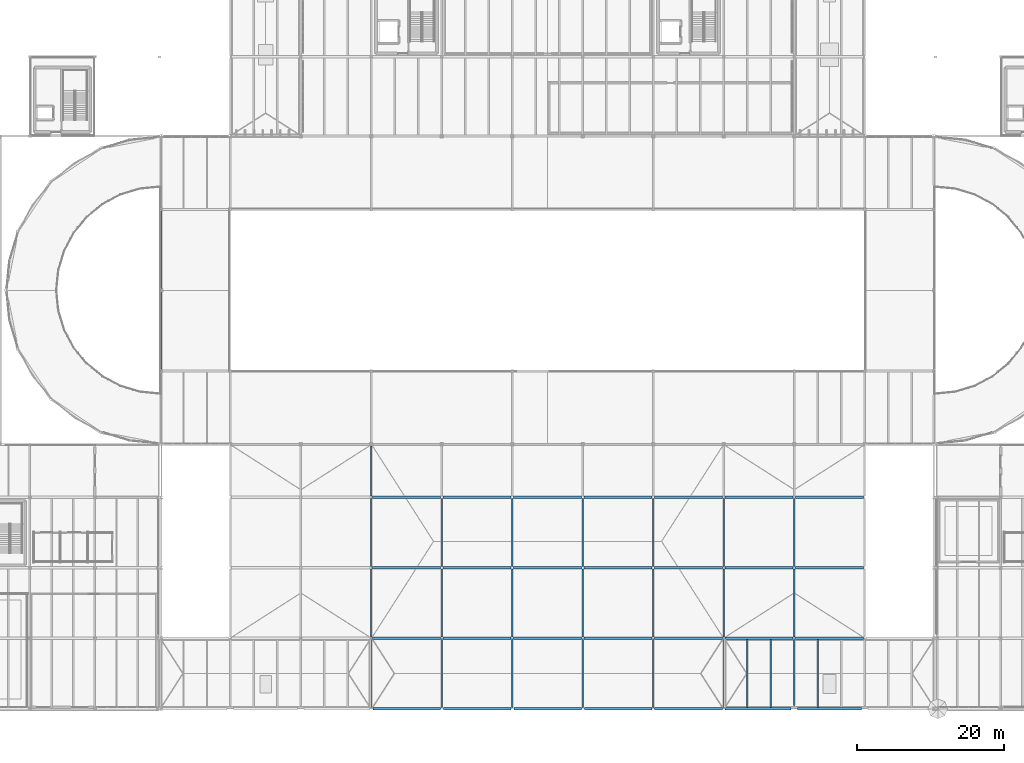
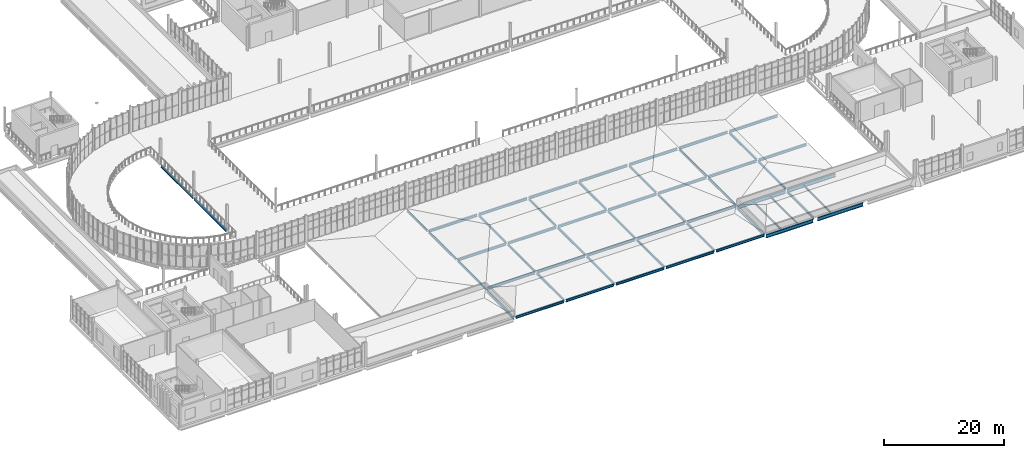
# One storey, part 31 of 112: 55 beams.
"""IFC4 building model written with IfcOpenShell, lengths in metres."""

from ifc_helpers import new_model, si_unit, direction, frame, origin, origin_2d, place, context, subcontext, project, spatial, i_section, extrude, material, material_profile, profile_set, type_object, element, save


model = new_model("IFC4")

# Units and contexts
model_context = context("Model", 3, precision=1e-05, world=origin(), true_north=direction((0.0, 1.0)))
body_context = subcontext(model_context, "Body", "Model", "MODEL_VIEW")
ifc_project = project(units=[si_unit("LENGTHUNIT", "METRE"), si_unit("AREAUNIT", "SQUARE_METRE"), si_unit("VOLUMEUNIT", "CUBIC_METRE"), si_unit("PLANEANGLEUNIT", "RADIAN"), si_unit("MASSUNIT", "GRAM", prefix="KILO")], contexts=[model_context])

# Site, building, storey
site_placement = place(None, origin())
site = spatial("IfcSite", under=ifc_project, at=site_placement, CompositionType="ELEMENT")
building_placement = place(site_placement, origin())
building = spatial("IfcBuilding", under=site, at=building_placement, Name="Yeouljin Market Hall", CompositionType="ELEMENT")
storey_placement = place(building_placement, frame((0.0, 0.0, 6.0)))
storey = spatial("IfcBuildingStorey", under=building, at=storey_placement, Name="L01", CompositionType="ELEMENT", Elevation=6.0)

# Beams
ifc_material_1 = material(Name="Steel SM355", Category="steel")
ifc_material_profile_1 = material_profile(ifc_material_1, i_section(OverallWidth=0.199951171875, OverallDepth=0.449951171875, WebThickness=0.009033203125, FlangeThickness=0.013916015625, FilletRadius=0.01806640625, at=origin_2d()), Name="H-450x200x9x14")
ifc_profile_set_1 = profile_set([ifc_material_profile_1], Name="Steel SM355")
beam_type_1 = type_object("IfcBeamType", Name="Beam_H-450x200x9x14", PredefinedType="BEAM", material=ifc_profile_set_1)
for number, where, z_axis, x_axis, name in (
    (1, (64.199951171875, 9.77490234375, -0.2451171875), (0.0, 1.0, 0.0), (-1.0, 0.0, 0.0), "Boulevard forecourt canopy beam BM-V5FC-Y07"),
    (2, (64.199951171875, 19.375, -0.2451171875), (0.0, 1.0, 0.0), (-1.0, 0.0, 0.0), "Boulevard forecourt canopy beam BM-V5FC-Y08"),
):
    element("IfcBeam", number, at=place(storey_placement, frame(where, z_axis=z_axis, x_axis=x_axis)), inside=storey, type_object=beam_type_1, Name=name, PredefinedType="BEAM", context=body_context, shape_type="SweptSolid", body=[
        extrude(i_section(OverallWidth=0.199951171875, OverallDepth=0.449951171875, WebThickness=0.009033203125, FlangeThickness=0.013916015625, FilletRadius=0.01806640625, at=origin_2d()), origin(), (0.0, 0.0, 1.0), 9.25),
    ])
beam_1_placement = place(storey_placement, frame((64.199951171875, 28.97509765625, -0.2451171875), z_axis=(0.0, 1.0, 0.0), x_axis=(-1.0, 0.0, 0.0)))
element("IfcBeam", 3, at=beam_1_placement, inside=storey, type_object=beam_type_1, Name="Boulevard forecourt canopy beam BM-V5FC-Y09", PredefinedType="BEAM", context=body_context, shape_type="SweptSolid", body=[
    extrude(i_section(OverallWidth=0.199951171875, OverallDepth=0.449951171875, WebThickness=0.009033203125, FlangeThickness=0.013916015625, FilletRadius=0.01806640625, at=origin_2d()), origin(), (0.0, 0.0, 1.0), 6.7998046875),
])
beam_2_placement = place(storey_placement, frame((73.800048828125, 0.199951171875, -0.2451171875), z_axis=(0.0, 1.0, 0.0), x_axis=(-1.0, 0.0, 0.0)))
element("IfcBeam", 4, at=beam_2_placement, inside=storey, type_object=beam_type_1, Name="Boulevard forecourt canopy beam BM-V5FC-Y10", PredefinedType="BEAM", context=body_context, shape_type="SweptSolid", body=[
    extrude(i_section(OverallWidth=0.199951171875, OverallDepth=0.449951171875, WebThickness=0.009033203125, FlangeThickness=0.013916015625, FilletRadius=0.01806640625, at=origin_2d()), origin(), (0.0, 0.0, 1.0), 9.22509765625),
])
for number, where, z_axis, x_axis, name in (
    (5, (73.800048828125, 9.77490234375, -0.2451171875), (0.0, 1.0, 0.0), (-1.0, 0.0, 0.0), "Boulevard forecourt canopy beam BM-V5FC-Y11"),
    (6, (73.800048828125, 19.375, -0.2451171875), (0.0, 1.0, 0.0), (-1.0, 0.0, 0.0), "Boulevard forecourt canopy beam BM-V5FC-Y12"),
):
    element("IfcBeam", number, at=place(storey_placement, frame(where, z_axis=z_axis, x_axis=x_axis)), inside=storey, type_object=beam_type_1, Name=name, PredefinedType="BEAM", context=body_context, shape_type="SweptSolid", body=[
        extrude(i_section(OverallWidth=0.199951171875, OverallDepth=0.449951171875, WebThickness=0.009033203125, FlangeThickness=0.013916015625, FilletRadius=0.01806640625, at=origin_2d()), origin(), (0.0, 0.0, 1.0), 9.25),
    ])
beam_3_placement = place(storey_placement, frame((83.39990234375, 0.199951171875, -0.2451171875), z_axis=(0.0, 1.0, 0.0), x_axis=(-1.0, 0.0, 0.0)))
element("IfcBeam", 7, at=beam_3_placement, inside=storey, type_object=beam_type_1, Name="Boulevard forecourt canopy beam BM-V5FC-Y14", PredefinedType="BEAM", context=body_context, shape_type="SweptSolid", body=[
    extrude(i_section(OverallWidth=0.199951171875, OverallDepth=0.449951171875, WebThickness=0.009033203125, FlangeThickness=0.013916015625, FilletRadius=0.01806640625, at=origin_2d()), origin(), (0.0, 0.0, 1.0), 9.22509765625),
])
for number, where, z_axis, x_axis, name in (
    (8, (83.39990234375, 9.77490234375, -0.2451171875), (0.0, 1.0, 0.0), (-1.0, 0.0, 0.0), "Boulevard forecourt canopy beam BM-V5FC-Y15"),
    (9, (83.39990234375, 19.375, -0.2451171875), (0.0, 1.0, 0.0), (-1.0, 0.0, 0.0), "Boulevard forecourt canopy beam BM-V5FC-Y16"),
):
    element("IfcBeam", number, at=place(storey_placement, frame(where, z_axis=z_axis, x_axis=x_axis)), inside=storey, type_object=beam_type_1, Name=name, PredefinedType="BEAM", context=body_context, shape_type="SweptSolid", body=[
        extrude(i_section(OverallWidth=0.199951171875, OverallDepth=0.449951171875, WebThickness=0.009033203125, FlangeThickness=0.013916015625, FilletRadius=0.01806640625, at=origin_2d()), origin(), (0.0, 0.0, 1.0), 9.25),
    ])
beam_4_placement = place(storey_placement, frame((93.0, 0.199951171875, -0.2451171875), z_axis=(0.0, 1.0, 0.0), x_axis=(-1.0, 0.0, 0.0)))
element("IfcBeam", 10, at=beam_4_placement, inside=storey, type_object=beam_type_1, Name="Boulevard forecourt canopy beam BM-V5FC-Y18", PredefinedType="BEAM", context=body_context, shape_type="SweptSolid", body=[
    extrude(i_section(OverallWidth=0.199951171875, OverallDepth=0.449951171875, WebThickness=0.009033203125, FlangeThickness=0.013916015625, FilletRadius=0.01806640625, at=origin_2d()), origin(), (0.0, 0.0, 1.0), 9.22509765625),
])
for number, where, z_axis, x_axis, name in (
    (11, (93.0, 9.77490234375, -0.2451171875), (0.0, 1.0, 0.0), (-1.0, 0.0, 0.0), "Boulevard forecourt canopy beam BM-V5FC-Y19"),
    (12, (93.0, 19.375, -0.2451171875), (0.0, 1.0, 0.0), (-1.0, 0.0, 0.0), "Boulevard forecourt canopy beam BM-V5FC-Y20"),
):
    element("IfcBeam", number, at=place(storey_placement, frame(where, z_axis=z_axis, x_axis=x_axis)), inside=storey, type_object=beam_type_1, Name=name, PredefinedType="BEAM", context=body_context, shape_type="SweptSolid", body=[
        extrude(i_section(OverallWidth=0.199951171875, OverallDepth=0.449951171875, WebThickness=0.009033203125, FlangeThickness=0.013916015625, FilletRadius=0.01806640625, at=origin_2d()), origin(), (0.0, 0.0, 1.0), 9.25),
    ])
beam_5_placement = place(storey_placement, frame((102.60009765625, 0.199951171875, -0.2451171875), z_axis=(0.0, 1.0, 0.0), x_axis=(-1.0, 0.0, 0.0)))
element("IfcBeam", 13, at=beam_5_placement, inside=storey, type_object=beam_type_1, Name="Boulevard forecourt canopy beam BM-V5FC-Y22", PredefinedType="BEAM", context=body_context, shape_type="SweptSolid", body=[
    extrude(i_section(OverallWidth=0.199951171875, OverallDepth=0.449951171875, WebThickness=0.009033203125, FlangeThickness=0.013916015625, FilletRadius=0.01806640625, at=origin_2d()), origin(), (0.0, 0.0, 1.0), 9.22509765625),
])
for number, where, z_axis, x_axis, name in (
    (14, (102.60009765625, 9.77490234375, -0.2451171875), (0.0, 1.0, 0.0), (-1.0, 0.0, 0.0), "Boulevard forecourt canopy beam BM-V5FC-Y23"),
    (15, (102.60009765625, 19.375, -0.2451171875), (0.0, 1.0, 0.0), (-1.0, 0.0, 0.0), "Boulevard forecourt canopy beam BM-V5FC-Y24"),
    (16, (112.199951171875, 9.77490234375, -0.2451171875), (0.0, 1.0, 0.0), (-1.0, 0.0, 0.0), "Boulevard forecourt canopy beam BM-V5FC-Y26"),
    (17, (112.199951171875, 19.375, -0.2451171875), (0.0, 1.0, 0.0), (-1.0, 0.0, 0.0), "Boulevard forecourt canopy beam BM-V5FC-Y27"),
    (18, (121.800048828125, 9.77490234375, -0.2451171875), (0.0, 1.0, 0.0), (-1.0, 0.0, 0.0), "Boulevard forecourt canopy beam BM-V5FC-Y29"),
    (19, (121.800048828125, 19.375, -0.2451171875), (0.0, 1.0, 0.0), (-1.0, 0.0, 0.0), "Boulevard forecourt canopy beam BM-V5FC-Y30"),
):
    element("IfcBeam", number, at=place(storey_placement, frame(where, z_axis=z_axis, x_axis=x_axis)), inside=storey, type_object=beam_type_1, Name=name, PredefinedType="BEAM", context=body_context, shape_type="SweptSolid", body=[
        extrude(i_section(OverallWidth=0.199951171875, OverallDepth=0.449951171875, WebThickness=0.009033203125, FlangeThickness=0.013916015625, FilletRadius=0.01806640625, at=origin_2d()), origin(), (0.0, 0.0, 1.0), 9.25),
    ])
ifc_material_2 = material(Name="Steel SM355", Category="steel")
ifc_material_profile_2 = material_profile(ifc_material_2, i_section(OverallWidth=0.199951171875, OverallDepth=0.5, WebThickness=0.010009765625, FlangeThickness=0.01611328125, FilletRadius=0.02001953125, at=origin_2d()), Name="H-500x200x10x16")
ifc_profile_set_2 = profile_set([ifc_material_profile_2], Name="Steel SM355")
beam_type_2 = type_object("IfcBeamType", Name="Beam_H-500x200x10x16", PredefinedType="BEAM", material=ifc_profile_set_2)
for number, where, z_axis, x_axis, name in (
    (20, (64.199951171875, 0.199951171875, -0.530029296875), (0.0, 1.0, 0.0), (-1.0, 0.0, 0.0), "Primary beam BM-L01-Y167"),
    (21, (112.199951171875, 0.199951171875, -0.530029296875), (0.0, 1.0, 0.0), (-1.0, 0.0, 0.0), "Primary beam BM-L01-Y189"),
):
    element("IfcBeam", number, at=place(storey_placement, frame(where, z_axis=z_axis, x_axis=x_axis)), inside=storey, type_object=beam_type_2, Name=name, PredefinedType="BEAM", context=body_context, shape_type="SweptSolid", body=[
        extrude(i_section(OverallWidth=0.199951171875, OverallDepth=0.5, WebThickness=0.010009765625, FlangeThickness=0.01611328125, FilletRadius=0.02001953125, at=origin_2d()), origin(), (0.0, 0.0, 1.0), 9.22509765625),
    ])
beam_6_placement = place(storey_placement, frame((121.800048828125, 0.449951171875, -0.530029296875), z_axis=(0.0, 1.0, 0.0), x_axis=(-1.0, 0.0, 0.0)))
element("IfcBeam", 22, at=beam_6_placement, inside=storey, type_object=beam_type_2, Name="Primary beam BM-L01-Y193", PredefinedType="BEAM", context=body_context, shape_type="SweptSolid", body=[
    extrude(i_section(OverallWidth=0.199951171875, OverallDepth=0.5, WebThickness=0.010009765625, FlangeThickness=0.01611328125, FilletRadius=0.02001953125, at=origin_2d()), origin(), (0.0, 0.0, 1.0), 8.97509765625),
])
ifc_material_3 = material(Name="Steel SM355", Category="steel")
ifc_material_profile_3 = material_profile(ifc_material_3, i_section(OverallWidth=0.199951171875, OverallDepth=0.60009765625, WebThickness=0.010986328125, FlangeThickness=0.01708984375, FilletRadius=0.02197265625, at=origin_2d()), Name="H-600x200x11x17")
ifc_profile_set_3 = profile_set([ifc_material_profile_3], Name="Steel SM355")
beam_type_3 = type_object("IfcBeamType", Name="Beam_H-600x200x11x17", PredefinedType="BEAM", material=ifc_profile_set_3)
for number, where, z_axis, x_axis, name in (
    (23, (35.590087890625, 46.175048828125, -0.570068359375), (0.0, 1.0, 0.0), (-1.0, 0.0, 0.0), "Primary beam BM-L01-Y152"),
    (24, (35.590087890625, 57.175048828125, -0.570068359375), (0.0, 1.0, 0.0), (-1.0, 0.0, 0.0), "Primary beam BM-L01-Y153"),
):
    element("IfcBeam", number, at=place(storey_placement, frame(where, z_axis=z_axis, x_axis=x_axis)), inside=storey, type_object=beam_type_3, Name=name, PredefinedType="BEAM", context=body_context, shape_type="SweptSolid", body=[
        extrude(i_section(OverallWidth=0.199951171875, OverallDepth=0.60009765625, WebThickness=0.010986328125, FlangeThickness=0.01708984375, FilletRadius=0.02197265625, at=origin_2d()), origin(), (0.0, 0.0, 1.0), 10.64990234375),
    ])
ifc_material_4 = material(Name="Steel SM355", Category="steel")
ifc_material_profile_4 = material_profile(ifc_material_4, i_section(OverallWidth=0.300048828125, OverallDepth=0.488037109375, WebThickness=0.010986328125, FlangeThickness=0.01806640625, FilletRadius=0.02197265625, at=origin_2d()), Name="H-488x300x11x18")
ifc_profile_set_4 = profile_set([ifc_material_profile_4], Name="Steel SM355")
beam_type_4 = type_object("IfcBeamType", Name="Girder_H-488x300x11x18", PredefinedType="USERDEFINED", material=ifc_profile_set_4)
beam_7_placement = place(storey_placement, frame((64.39990234375, 0.0, -0.263916015625), z_axis=(1.0, 0.0, 0.0), x_axis=(0.0, 1.0, 0.0)))
element("IfcBeam", 25, at=beam_7_placement, inside=storey, type_object=beam_type_4, Name="Boulevard forecourt canopy girder GRD-V5FC-X01", ObjectType="GIRDER", PredefinedType="USERDEFINED", context=body_context, shape_type="SweptSolid", body=[
    extrude(i_section(OverallWidth=0.300048828125, OverallDepth=0.488037109375, WebThickness=0.010986328125, FlangeThickness=0.01806640625, FilletRadius=0.02197265625, at=origin_2d()), origin(), (0.0, 0.0, 1.0), 9.2001953125),
])
for number, where, z_axis, x_axis, name in (
    (26, (74.0, 0.0, -0.263916015625), (1.0, 0.0, 0.0), (0.0, 1.0, 0.0), "Boulevard forecourt canopy girder GRD-V5FC-X02"),
    (27, (83.60009765625, 0.0, -0.263916015625), (1.0, 0.0, 0.0), (0.0, 1.0, 0.0), "Boulevard forecourt canopy girder GRD-V5FC-X03"),
    (28, (93.199951171875, 0.0, -0.263916015625), (1.0, 0.0, 0.0), (0.0, 1.0, 0.0), "Boulevard forecourt canopy girder GRD-V5FC-X04"),
    (29, (102.800048828125, 0.0, -0.263916015625), (1.0, 0.0, 0.0), (0.0, 1.0, 0.0), "Boulevard forecourt canopy girder GRD-V5FC-X05"),
):
    element("IfcBeam", number, at=place(storey_placement, frame(where, z_axis=z_axis, x_axis=x_axis)), inside=storey, type_object=beam_type_4, Name=name, ObjectType="GIRDER", PredefinedType="USERDEFINED", context=body_context, shape_type="SweptSolid", body=[
        extrude(i_section(OverallWidth=0.300048828125, OverallDepth=0.488037109375, WebThickness=0.010986328125, FlangeThickness=0.01806640625, FilletRadius=0.02197265625, at=origin_2d()), origin(), (0.0, 0.0, 1.0), 9.199951171875),
    ])
for number, where, z_axis, x_axis, name in (
    (30, (64.375, 9.60009765625, -0.263916015625), (1.0, 0.0, 0.0), (0.0, 1.0, 0.0), "Boulevard forecourt canopy girder GRD-V5FC-X06"),
    (31, (73.97509765625, 9.60009765625, -0.263916015625), (1.0, 0.0, 0.0), (0.0, 1.0, 0.0), "Boulevard forecourt canopy girder GRD-V5FC-X07"),
    (32, (83.574951171875, 9.60009765625, -0.263916015625), (1.0, 0.0, 0.0), (0.0, 1.0, 0.0), "Boulevard forecourt canopy girder GRD-V5FC-X08"),
    (33, (93.175048828125, 9.60009765625, -0.263916015625), (1.0, 0.0, 0.0), (0.0, 1.0, 0.0), "Boulevard forecourt canopy girder GRD-V5FC-X09"),
    (34, (102.77490234375, 9.60009765625, -0.263916015625), (1.0, 0.0, 0.0), (0.0, 1.0, 0.0), "Boulevard forecourt canopy girder GRD-V5FC-X10"),
    (35, (64.375, 19.199951171875, -0.263916015625), (1.0, 0.0, 0.0), (0.0, 1.0, 0.0), "Boulevard forecourt canopy girder GRD-V5FC-X13"),
    (36, (73.97509765625, 19.199951171875, -0.263916015625), (1.0, 0.0, 0.0), (0.0, 1.0, 0.0), "Boulevard forecourt canopy girder GRD-V5FC-X14"),
    (37, (83.574951171875, 19.199951171875, -0.263916015625), (1.0, 0.0, 0.0), (0.0, 1.0, 0.0), "Boulevard forecourt canopy girder GRD-V5FC-X15"),
    (38, (93.175048828125, 19.199951171875, -0.263916015625), (1.0, 0.0, 0.0), (0.0, 1.0, 0.0), "Boulevard forecourt canopy girder GRD-V5FC-X16"),
    (39, (102.77490234375, 19.199951171875, -0.263916015625), (1.0, 0.0, 0.0), (0.0, 1.0, 0.0), "Boulevard forecourt canopy girder GRD-V5FC-X17"),
    (40, (112.375, 19.199951171875, -0.263916015625), (1.0, 0.0, 0.0), (0.0, 1.0, 0.0), "Boulevard forecourt canopy girder GRD-V5FC-X18"),
    (41, (121.97509765625, 19.199951171875, -0.263916015625), (1.0, 0.0, 0.0), (0.0, 1.0, 0.0), "Boulevard forecourt canopy girder GRD-V5FC-X19"),
    (42, (64.375, 28.800048828125, -0.263916015625), (1.0, 0.0, 0.0), (0.0, 1.0, 0.0), "Boulevard forecourt canopy girder GRD-V5FC-X22"),
    (43, (73.97509765625, 28.800048828125, -0.263916015625), (1.0, 0.0, 0.0), (0.0, 1.0, 0.0), "Boulevard forecourt canopy girder GRD-V5FC-X23"),
    (44, (83.574951171875, 28.800048828125, -0.263916015625), (1.0, 0.0, 0.0), (0.0, 1.0, 0.0), "Boulevard forecourt canopy girder GRD-V5FC-X24"),
    (45, (93.175048828125, 28.800048828125, -0.263916015625), (1.0, 0.0, 0.0), (0.0, 1.0, 0.0), "Boulevard forecourt canopy girder GRD-V5FC-X25"),
    (46, (102.77490234375, 28.800048828125, -0.263916015625), (1.0, 0.0, 0.0), (0.0, 1.0, 0.0), "Boulevard forecourt canopy girder GRD-V5FC-X26"),
    (47, (112.375, 28.800048828125, -0.263916015625), (1.0, 0.0, 0.0), (0.0, 1.0, 0.0), "Boulevard forecourt canopy girder GRD-V5FC-X27"),
    (48, (121.97509765625, 28.800048828125, -0.263916015625), (1.0, 0.0, 0.0), (0.0, 1.0, 0.0), "Boulevard forecourt canopy girder GRD-V5FC-X28"),
):
    element("IfcBeam", number, at=place(storey_placement, frame(where, z_axis=z_axis, x_axis=x_axis)), inside=storey, type_object=beam_type_4, Name=name, ObjectType="GIRDER", PredefinedType="USERDEFINED", context=body_context, shape_type="SweptSolid", body=[
        extrude(i_section(OverallWidth=0.300048828125, OverallDepth=0.488037109375, WebThickness=0.010986328125, FlangeThickness=0.01806640625, FilletRadius=0.02197265625, at=origin_2d()), origin(), (0.0, 0.0, 1.0), 9.25),
    ])
ifc_material_5 = material(Name="Steel SM355", Category="steel")
ifc_material_profile_5 = material_profile(ifc_material_5, i_section(OverallWidth=0.300048828125, OverallDepth=0.699951171875, WebThickness=0.012939453125, FlangeThickness=0.02392578125, FilletRadius=0.02587890625, at=origin_2d()), Name="H-700x300x13x24")
ifc_profile_set_5 = profile_set([ifc_material_profile_5], Name="Steel SM355")
beam_type_5 = type_object("IfcBeamType", Name="Girder_H-700x300x13x24", PredefinedType="USERDEFINED", material=ifc_profile_set_5)
beam_8_placement = place(storey_placement, frame((112.39990234375, 0.0, -0.6298828125), z_axis=(1.0, 0.0, 0.0), x_axis=(0.0, 1.0, 0.0)))
element("IfcBeam", 49, at=beam_8_placement, inside=storey, type_object=beam_type_5, Name="Primary girder GRD-L01-X008", ObjectType="GIRDER", PredefinedType="USERDEFINED", context=body_context, shape_type="SweptSolid", body=[
    extrude(i_section(OverallWidth=0.300048828125, OverallDepth=0.699951171875, WebThickness=0.012939453125, FlangeThickness=0.02392578125, FilletRadius=0.02587890625, at=origin_2d()), origin(), (0.0, 0.0, 1.0), 8.9501953125),
])
beam_9_placement = place(storey_placement, frame((122.25, 0.0, -0.6298828125), z_axis=(1.0, 0.0, 0.0), x_axis=(0.0, 1.0, 0.0)))
element("IfcBeam", 50, at=beam_9_placement, inside=storey, type_object=beam_type_5, Name="Primary girder GRD-L01-X009", ObjectType="GIRDER", PredefinedType="USERDEFINED", context=body_context, shape_type="SweptSolid", body=[
    extrude(i_section(OverallWidth=0.300048828125, OverallDepth=0.699951171875, WebThickness=0.012939453125, FlangeThickness=0.02392578125, FilletRadius=0.02587890625, at=origin_2d()), origin(), (0.0, 0.0, 1.0), 8.699951171875),
])
for number, where, z_axis, x_axis, name in (
    (51, (112.375, 9.60009765625, -0.6298828125), (1.0, 0.0, 0.0), (0.0, 1.0, 0.0), "Primary girder GRD-L01-X022"),
    (52, (121.97509765625, 9.60009765625, -0.6298828125), (1.0, 0.0, 0.0), (0.0, 1.0, 0.0), "Primary girder GRD-L01-X023"),
):
    element("IfcBeam", number, at=place(storey_placement, frame(where, z_axis=z_axis, x_axis=x_axis)), inside=storey, type_object=beam_type_5, Name=name, ObjectType="GIRDER", PredefinedType="USERDEFINED", context=body_context, shape_type="SweptSolid", body=[
        extrude(i_section(OverallWidth=0.300048828125, OverallDepth=0.699951171875, WebThickness=0.012939453125, FlangeThickness=0.02392578125, FilletRadius=0.02587890625, at=origin_2d()), origin(), (0.0, 0.0, 1.0), 9.25),
    ])
ifc_material_6 = material(Name="Steel SM355", Category="steel")
ifc_material_profile_6 = material_profile(ifc_material_6, i_section(OverallWidth=0.175048828125, OverallDepth=0.35009765625, WebThickness=0.007080078125, FlangeThickness=0.010986328125, FilletRadius=0.013916015625, at=origin_2d()), Name="H-350x175x7x11")
ifc_profile_set_6 = profile_set([ifc_material_profile_6], Name="Steel SM355")
beam_type_6 = type_object("IfcBeamType", Name="Joist_H-350x175x7x11", PredefinedType="JOIST", material=ifc_profile_set_6)
for number, where, z_axis, x_axis, name in (
    (53, (115.39990234375, 0.14697265625, -0.455078125), (0.0, 1.0, 0.0), (-1.0, 0.0, 0.0), "Secondary floor joist L01-074"),
    (54, (118.60009765625, 0.14697265625, -0.455078125), (0.0, 1.0, 0.0), (-1.0, 0.0, 0.0), "Secondary floor joist L01-075"),
    (55, (125.0, 0.14697265625, -0.455078125), (0.0, 1.0, 0.0), (-1.0, 0.0, 0.0), "Secondary floor joist L01-080"),
):
    element("IfcBeam", number, at=place(storey_placement, frame(where, z_axis=z_axis, x_axis=x_axis)), inside=storey, type_object=beam_type_6, Name=name, PredefinedType="JOIST", context=body_context, shape_type="SweptSolid", body=[
        extrude(i_section(OverallWidth=0.175048828125, OverallDepth=0.35009765625, WebThickness=0.007080078125, FlangeThickness=0.010986328125, FilletRadius=0.013916015625, at=origin_2d()), origin(), (0.0, 0.0, 1.0), 9.305908203125),
    ])

save(model, "model.ifc")
